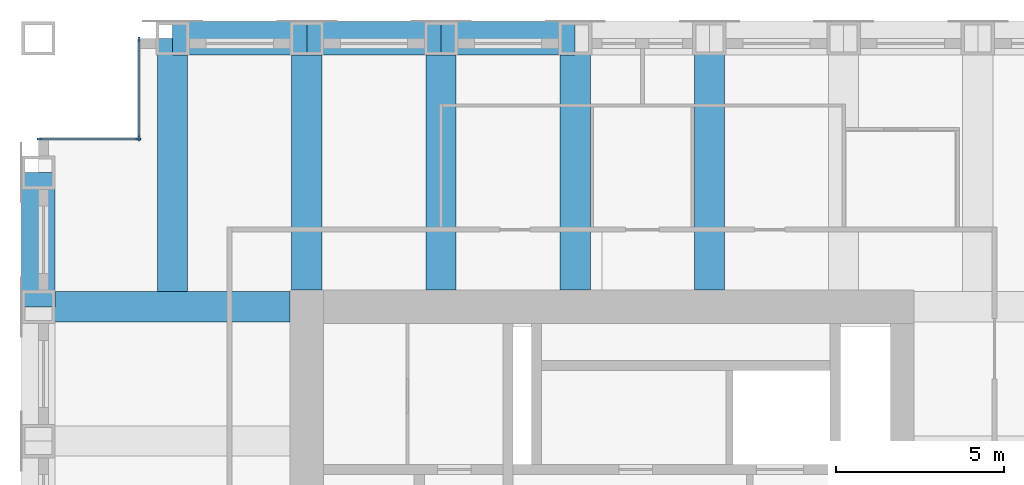
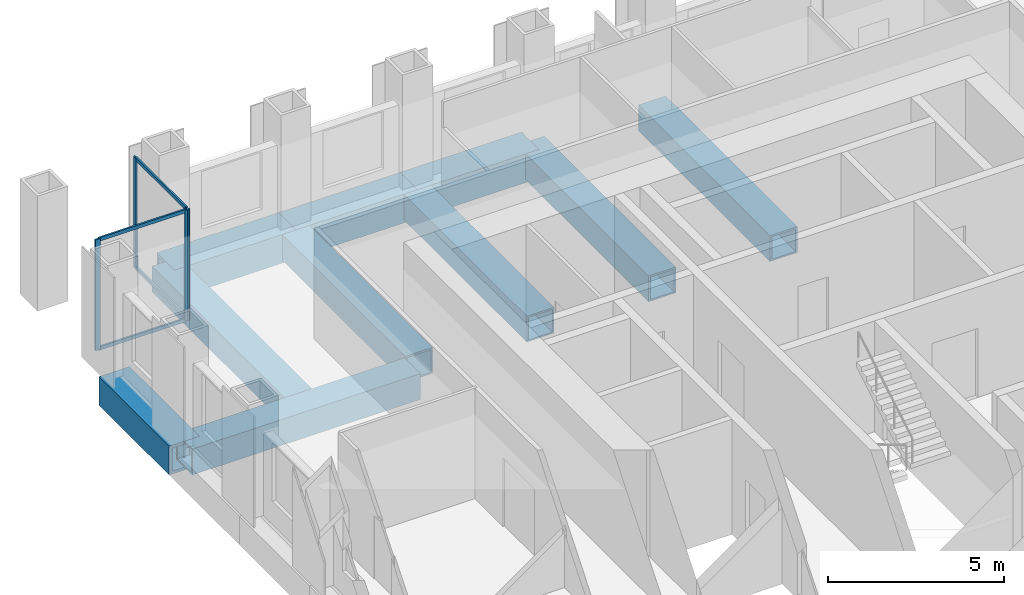
# One storey, part 5 of 13: 10 beams, 8 members, 2 elements without a shape of their own.
"""IFC4 building model written with IfcOpenShell, lengths in metres."""

from ifc_helpers import new_model, si_unit, direction, frame, origin, origin_2d, place, context, subcontext, project, spatial, rectangle, hollow_rectangle, extrude, material, material_profile, profile_set, type_object, element, aggregate, save


model = new_model("IFC4")

# Units and contexts
model_context = context("Model", 3, precision=1e-05, world=origin(), true_north=direction((0.0, 1.0)))
body_context = subcontext(model_context, "Body", "Model", "MODEL_VIEW")
ifc_project = project(units=[si_unit("LENGTHUNIT", "METRE"), si_unit("AREAUNIT", "SQUARE_METRE"), si_unit("VOLUMEUNIT", "CUBIC_METRE"), si_unit("PLANEANGLEUNIT", "RADIAN"), si_unit("MASSUNIT", "GRAM", prefix="KILO")], contexts=[model_context])

# Site, building, storey
site_placement = place(None, origin())
site = spatial("IfcSite", under=ifc_project, at=site_placement, CompositionType="ELEMENT")
building_placement = place(site_placement, origin())
building = spatial("IfcBuilding", under=site, at=building_placement, Name="Rimbunsela Tower", CompositionType="ELEMENT")
storey_placement = place(building_placement, frame((0.0, 0.0, 262.199951171875)))
storey = spatial("IfcBuildingStorey", under=building, at=storey_placement, Name="L63", CompositionType="ELEMENT", Elevation=262.199951171875)

# Beams
ifc_material_1 = material(Name="Steel BJ 55 (fy 410 MPa)", Category="steel")
ifc_material_profile_1 = material_profile(ifc_material_1, hollow_rectangle(XDim=1.0, YDim=1.0, WallThickness=0.10009765625, at=origin_2d()), Name="BOX 1000x1000x100")
ifc_profile_set_1 = profile_set([ifc_material_profile_1], Name="Steel BJ 55 (fy 410 MPa)")
beam_type_1 = type_object("IfcBeamType", Name="Beam BOX 1000x1000x100", PredefinedType="BEAM", material=ifc_profile_set_1)
for number, where, z_axis, x_axis, name in (
    (1, (10.0, 36.0, -0.64990234375), (0.0, 1.0, 0.0), (-1.0, 0.0, 0.0), "Beam B3 L63"),
    (2, (14.0, 44.0, -0.64990234375), (1.0, 0.0, 0.0), (0.0, 1.0, 0.0), "Beam B3 L63"),
    (3, (18.0, 44.0, -0.64990234375), (1.0, 0.0, 0.0), (0.0, 1.0, 0.0), "Beam B3 L63"),
    (4, (22.0, 44.0, -0.64990234375), (1.0, 0.0, 0.0), (0.0, 1.0, 0.0), "Beam B3 L63"),
):
    element("IfcBeam", number, at=place(storey_placement, frame(where, z_axis=z_axis, x_axis=x_axis)), inside=storey, type_object=beam_type_1, Name=name, PredefinedType="BEAM", context=body_context, shape_type="SweptSolid", body=[
        extrude(hollow_rectangle(XDim=1.0, YDim=1.0, WallThickness=0.10009765625, at=origin_2d()), origin(), (0.0, 0.0, 1.0), 4.0),
    ])
ifc_material_2 = material(Name="Steel BJ 55 (fy 410 MPa)", Category="steel")
ifc_material_profile_2 = material_profile(ifc_material_2, hollow_rectangle(XDim=0.89990234375, YDim=0.89990234375, WallThickness=0.06005859375, at=origin_2d()), Name="BOX 900x900x60")
ifc_profile_set_2 = profile_set([ifc_material_profile_2], Name="Steel BJ 55 (fy 410 MPa)")
beam_type_2 = type_object("IfcBeamType", Name="Beam BOX 900x900x60", PredefinedType="BEAM", material=ifc_profile_set_2)
beam_1_placement = place(storey_placement, frame((10.0, 36.0, -0.599853515625), z_axis=(1.0, 0.0, 0.0), x_axis=(0.0, 1.0, 0.0)))
element("IfcBeam", 5, at=beam_1_placement, inside=storey, type_object=beam_type_2, Name="Beam B1 L63", PredefinedType="BEAM", context=body_context, shape_type="SweptSolid", body=[
    extrude(hollow_rectangle(XDim=0.89990234375, YDim=0.89990234375, WallThickness=0.06005859375, at=origin_2d()), origin(), (0.0, 0.0, 1.0), 7.5),
])
beam_2_placement = place(storey_placement, frame((14.0, 36.449951171875, -0.599853515625), z_axis=(0.0, 1.0, 0.0), x_axis=(-1.0, 0.0, 0.0)))
element("IfcBeam", 6, at=beam_2_placement, inside=storey, type_object=beam_type_2, Name="Beam B1 L63", PredefinedType="BEAM", context=body_context, shape_type="SweptSolid", body=[
    extrude(hollow_rectangle(XDim=0.89990234375, YDim=0.89990234375, WallThickness=0.06005859375, at=origin_2d()), origin(), (0.0, 0.0, 1.0), 7.550048828125),
])
for number, where, z_axis, x_axis, name in (
    (7, (18.0, 36.5, -0.599853515625), (0.0, 1.0, 0.0), (-1.0, 0.0, 0.0), "Beam B1 L63"),
    (8, (22.0, 36.5, -0.599853515625), (0.0, 1.0, 0.0), (-1.0, 0.0, 0.0), "Beam B1 L63"),
    (9, (26.0, 36.5, -0.599853515625), (0.0, 1.0, 0.0), (-1.0, 0.0, 0.0), "Beam B1 L63"),
    (10, (30.0, 36.5, -0.599853515625), (0.0, 1.0, 0.0), (-1.0, 0.0, 0.0), "Beam B1 L63"),
):
    element("IfcBeam", number, at=place(storey_placement, frame(where, z_axis=z_axis, x_axis=x_axis)), inside=storey, type_object=beam_type_2, Name=name, PredefinedType="BEAM", context=body_context, shape_type="SweptSolid", body=[
        extrude(hollow_rectangle(XDim=0.89990234375, YDim=0.89990234375, WallThickness=0.06005859375, at=origin_2d()), origin(), (0.0, 0.0, 1.0), 7.5),
    ])

# Curtain wall, members
ifc_material_3 = material(Name="Aluminium curtain wall", Category="aluminium")
curtain_wall_type = type_object("IfcCurtainWallType", Name="Corner glazing", PredefinedType="USERDEFINED", material=ifc_material_3)
curtain_wall_1_placement = place(storey_placement, origin())
curtain_wall_1 = element("IfcCurtainWall", 11, at=curtain_wall_1_placement, inside=storey, type_object=curtain_wall_type, Name="Corner glazing L63", ObjectType="CORNER GLAZING", PredefinedType="USERDEFINED")
ifc_material_4 = material(Name="Aluminium mullion", Category="aluminium")
ifc_material_profile_3 = material_profile(ifc_material_4, rectangle(XDim=0.06005859375, YDim=0.159912109375, at=origin_2d()), Name="Mullion 60x160")
ifc_profile_set_3 = profile_set([ifc_material_profile_3], Name="Aluminium mullion")
member_type_1 = type_object("IfcMemberType", Name="Curtain wall mullion 60x160", PredefinedType="MULLION", material=ifc_profile_set_3)
member_1_placement = place(storey_placement, frame((13.0, 43.969970703125, 0.0), z_axis=(0.0, 0.0, 1.0), x_axis=(1.0, 0.0, 0.0)))
member_1 = element("IfcMember", 12, at=member_1_placement, type_object=member_type_1, Name="CW5 mullion 1", PredefinedType="MULLION", context=body_context, shape_type="SweptSolid", body=[
    extrude(rectangle(XDim=0.06005859375, YDim=0.159912109375, at=origin_2d()), origin(), (0.0, 0.0, 1.0), 3.85009765625),
])
member_2_placement = place(storey_placement, frame((13.0, 41.030029296875, 0.0), z_axis=(0.0, 0.0, 1.0), x_axis=(1.0, 0.0, 0.0)))
member_2 = element("IfcMember", 13, at=member_2_placement, type_object=member_type_1, Name="CW5 mullion 2", PredefinedType="MULLION", context=body_context, shape_type="SweptSolid", body=[
    extrude(rectangle(XDim=0.06005859375, YDim=0.159912109375, at=origin_2d()), origin(), (0.0, 0.0, 1.0), 3.85009765625),
])

curtain_wall_2_placement = place(storey_placement, origin())
curtain_wall_2 = element("IfcCurtainWall", 14, at=curtain_wall_2_placement, inside=storey, type_object=curtain_wall_type, Name="Corner glazing L63", ObjectType="CORNER GLAZING", PredefinedType="USERDEFINED")
member_3_placement = place(storey_placement, frame((12.969970703125, 41.0, 0.0), z_axis=(0.0, 0.0, 1.0), x_axis=(0.0, -1.0, 0.0)))
member_3 = element("IfcMember", 15, at=member_3_placement, type_object=member_type_1, Name="CW5 mullion 1", PredefinedType="MULLION", context=body_context, shape_type="SweptSolid", body=[
    extrude(rectangle(XDim=0.06005859375, YDim=0.159912109375, at=origin_2d()), origin(), (0.0, 0.0, 1.0), 3.85009765625),
])
member_4_placement = place(storey_placement, frame((10.030029296875, 41.0, 0.0), z_axis=(0.0, 0.0, 1.0), x_axis=(0.0, -1.0, 0.0)))
member_4 = element("IfcMember", 16, at=member_4_placement, type_object=member_type_1, Name="CW5 mullion 2", PredefinedType="MULLION", context=body_context, shape_type="SweptSolid", body=[
    extrude(rectangle(XDim=0.06005859375, YDim=0.159912109375, at=origin_2d()), origin(), (0.0, 0.0, 1.0), 3.85009765625),
])

# Member
ifc_material_5 = material(Name="Aluminium transom", Category="aluminium")
ifc_material_profile_4 = material_profile(ifc_material_5, rectangle(XDim=0.06005859375, YDim=0.1201171875, at=origin_2d()), Name="Transom 60x120")
ifc_profile_set_4 = profile_set([ifc_material_profile_4], Name="Aluminium transom")
member_type_2 = type_object("IfcMemberType", Name="Curtain wall transom 60x120", PredefinedType="USERDEFINED", material=ifc_profile_set_4)
member_5_placement = place(storey_placement, frame((13.0, 43.93994140625, 0.030029296875), z_axis=(0.0, -1.0, 0.0), x_axis=(1.0, 0.0, 0.0)))
member_5 = element("IfcMember", 17, at=member_5_placement, type_object=member_type_2, Name="CW5 transom 1.1", ObjectType="TRANSOM", PredefinedType="USERDEFINED", context=body_context, shape_type="SweptSolid", body=[
    extrude(rectangle(XDim=0.06005859375, YDim=0.1201171875, at=origin_2d()), origin(), (0.0, 0.0, 1.0), 2.8798828125),
])

member_6_placement = place(storey_placement, frame((13.0, 43.93994140625, 3.820068359375), z_axis=(0.0, -1.0, 0.0), x_axis=(1.0, 0.0, 0.0)))
member_6 = element("IfcMember", 18, at=member_6_placement, type_object=member_type_2, Name="CW5 transom 1.2", ObjectType="TRANSOM", PredefinedType="USERDEFINED", context=body_context, shape_type="SweptSolid", body=[
    extrude(rectangle(XDim=0.06005859375, YDim=0.1201171875, at=origin_2d()), origin(), (0.0, 0.0, 1.0), 2.8798828125),
])

aggregate(curtain_wall_1, [member_1, member_2, member_5, member_6])

member_7_placement = place(storey_placement, frame((12.93994140625, 41.0, 0.030029296875), z_axis=(-1.0, 0.0, 0.0), x_axis=(0.0, -1.0, 0.0)))
member_7 = element("IfcMember", 19, at=member_7_placement, type_object=member_type_2, Name="CW5 transom 1.1", ObjectType="TRANSOM", PredefinedType="USERDEFINED", context=body_context, shape_type="SweptSolid", body=[
    extrude(rectangle(XDim=0.06005859375, YDim=0.1201171875, at=origin_2d()), origin(), (0.0, 0.0, 1.0), 2.8798828125),
])

member_8_placement = place(storey_placement, frame((12.93994140625, 41.0, 3.820068359375), z_axis=(-1.0, 0.0, 0.0), x_axis=(0.0, -1.0, 0.0)))
member_8 = element("IfcMember", 20, at=member_8_placement, type_object=member_type_2, Name="CW5 transom 1.2", ObjectType="TRANSOM", PredefinedType="USERDEFINED", context=body_context, shape_type="SweptSolid", body=[
    extrude(rectangle(XDim=0.06005859375, YDim=0.1201171875, at=origin_2d()), origin(), (0.0, 0.0, 1.0), 2.8798828125),
])

aggregate(curtain_wall_2, [member_3, member_4, member_7, member_8])

save(model, "model.ifc")
